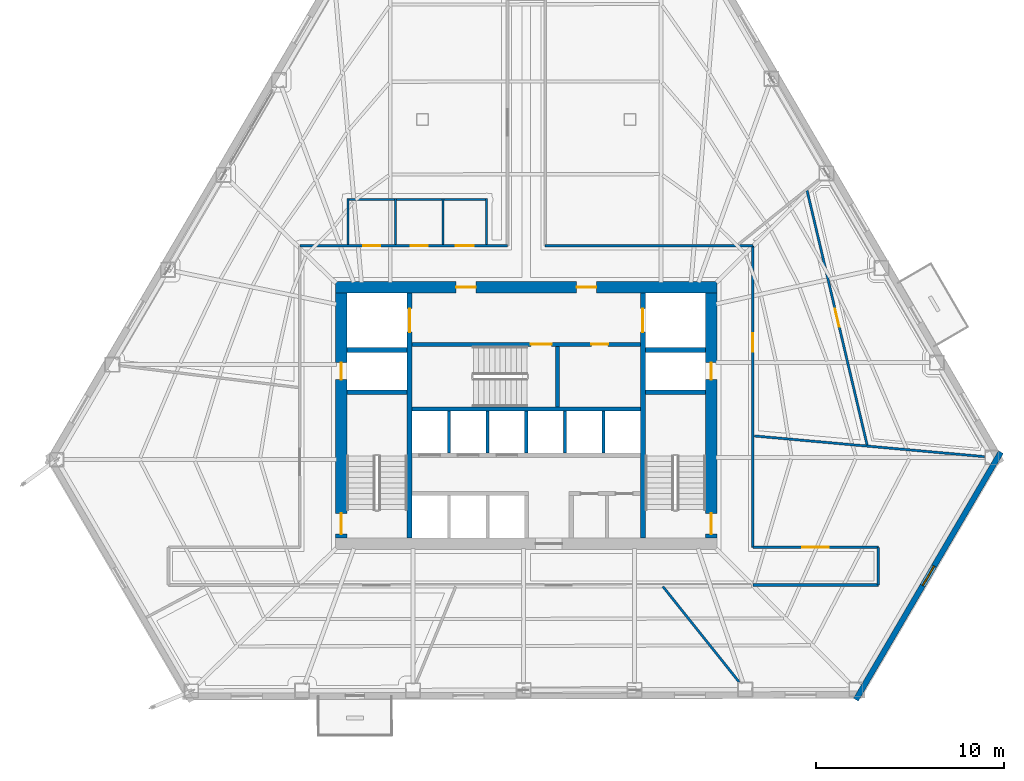
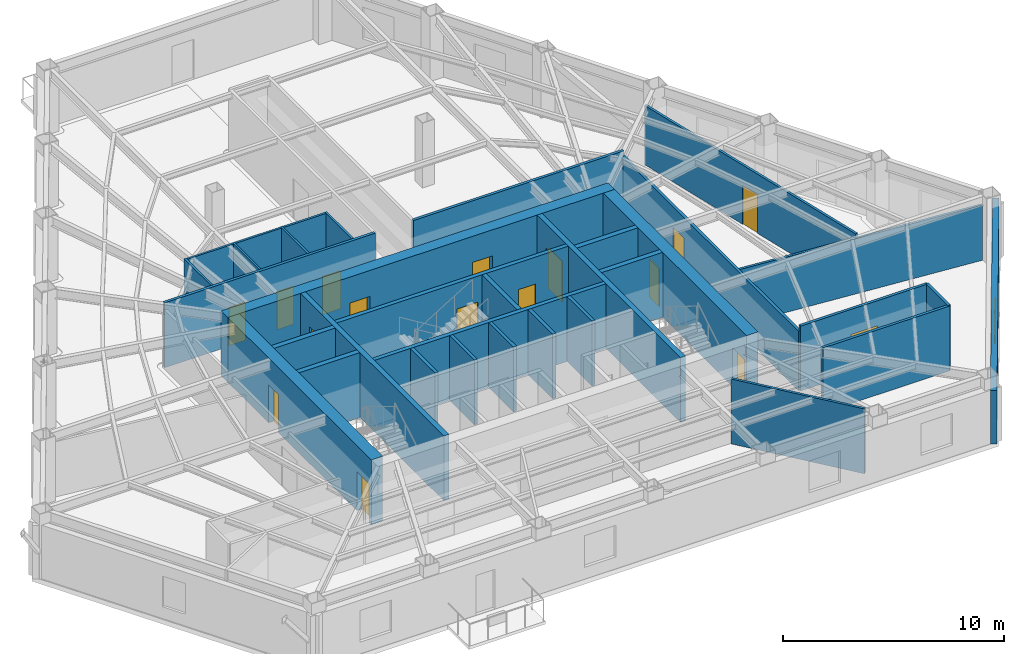
# One storey, part 10 of 15: 32 walls, 16 doors, 1 window, 17 openings.
"""IFC4 building model written with IfcOpenShell, lengths in metres."""

from ifc_helpers import new_model, si_unit, direction, frame, frame_2d, origin, place, context, subcontext, project, spatial, rectangle, extrude, material, layer, layer_set, type_object, element, fill, save


model = new_model("IFC4")

# Units and contexts
model_context = context("Model", 3, precision=1e-05, world=origin(), true_north=direction((0.0, 1.0)))
body_context = subcontext(model_context, "Body", "Model", "MODEL_VIEW")
ifc_project = project(units=[si_unit("LENGTHUNIT", "METRE"), si_unit("AREAUNIT", "SQUARE_METRE"), si_unit("VOLUMEUNIT", "CUBIC_METRE"), si_unit("PLANEANGLEUNIT", "RADIAN"), si_unit("MASSUNIT", "GRAM", prefix="KILO")], contexts=[model_context])

# Site, building, storey
site_placement = place(None, origin())
site = spatial("IfcSite", under=ifc_project, at=site_placement, CompositionType="ELEMENT")
building_placement = place(site_placement, origin())
building = spatial("IfcBuilding", under=site, at=building_placement, Name="Kavelnor Concourse Tower", CompositionType="ELEMENT")
storey_placement = place(building_placement, frame((0.0, 0.0, 63.75)))
storey = spatial("IfcBuildingStorey", under=building, at=storey_placement, Name="L16", CompositionType="ELEMENT", Elevation=63.75)

# Wall, openings, doors
ifc_material_1 = material(Name="Concrete C60/75", Category="concrete")
ifc_layer_1 = layer(ifc_material_1, 0.60009765625, Name="Concrete C60/75")
ifc_layer_set_1 = layer_set([ifc_layer_1], Name="Concrete C60/75")
wall_type_1 = type_object("IfcWallType", Name="WL-CORE-Z1-600", PredefinedType="SOLIDWALL", material=ifc_layer_set_1)
wall_1_placement = place(storey_placement, frame((27.8798828125, 22.89990234375, 0.0), z_axis=(0.0, 0.0, 1.0), x_axis=(1.0, 0.0, 0.0)))
wall_1 = element("IfcWall", 1, at=wall_1_placement, inside=storey, type_object=wall_type_1, Name="L16 Central Core North Shear Wall", PredefinedType="SOLIDWALL", context=body_context, shape_type="SweptSolid", body=[
    extrude(rectangle(XDim=20.240234375, YDim=0.60009765625, at=frame_2d((10.1201171875, 0.0))), origin(), (0.0, 0.0, 1.0), 3.590087890625),
])
opening_1_placement = place(wall_1_placement, frame((6.39501953125, 0.0, 0.0)))
opening_1 = element("IfcOpeningElement", 2, at=opening_1_placement, cuts=wall_1, Name="Opening FD-105", PredefinedType="OPENING", context=body_context, shape_type="SweptSolid", body=[
    extrude(rectangle(XDim=1.050048828125, YDim=2.14990234375, at=frame_2d((0.52490234375, 1.074951171875))), frame((0.0, 0.31005859375, 0.0), z_axis=(0.0, -1.0, 0.0), x_axis=(1.0, 0.0, 0.0)), (0.0, 0.0, 1.0), 0.6201171875),
])
opening_2_placement = place(wall_1_placement, frame((12.794921875, 0.0, 0.0)))
opening_2 = element("IfcOpeningElement", 3, at=opening_2_placement, cuts=wall_1, Name="Opening FD-105", PredefinedType="OPENING", context=body_context, shape_type="SweptSolid", body=[
    extrude(rectangle(XDim=1.050048828125, YDim=2.14990234375, at=frame_2d((0.52490234375, 1.074951171875))), frame((0.0, 0.31005859375, 0.0), z_axis=(0.0, -1.0, 0.0), x_axis=(1.0, 0.0, 0.0)), (0.0, 0.0, 1.0), 0.6201171875),
])
ifc_material_2 = material(Name="Steel Grade 350", Category="steel")
door_type_1 = type_object("IfcDoorType", Name="DR-LOBBY-FIRE-1050", OperationType="NOTDEFINED", PredefinedType="DOOR", material=ifc_material_2)
door_1_placement = place(opening_1_placement, origin())
door_1 = element("IfcDoor", 4, at=door_1_placement, inside=storey, type_object=door_type_1, Name="L16 Emergency Lift Lobby West Door", OperationType="SINGLE_SWING_LEFT", OverallHeight=2.14990234375, OverallWidth=1.050048828125, PredefinedType="DOOR", context=body_context, shape_type="SweptSolid", body=[
    extrude(rectangle(XDim=1.050048828125, YDim=2.14990234375, at=frame_2d((0.52490234375, 1.074951171875))), frame((0.0, 0.02490234375, 0.0), z_axis=(0.0, -1.0, 0.0), x_axis=(1.0, 0.0, 0.0)), (0.0, 0.0, 1.0), 0.050048828125),
])
fill(opening_1, door_1)
door_2_placement = place(opening_2_placement, origin())
door_2 = element("IfcDoor", 5, at=door_2_placement, inside=storey, type_object=door_type_1, Name="L16 Emergency Lift Lobby East Door", OperationType="SINGLE_SWING_RIGHT", OverallHeight=2.14990234375, OverallWidth=1.050048828125, PredefinedType="DOOR", context=body_context, shape_type="SweptSolid", body=[
    extrude(rectangle(XDim=1.050048828125, YDim=2.14990234375, at=frame_2d((0.52490234375, 1.074951171875))), frame((0.0, 0.02490234375, 0.0), z_axis=(0.0, -1.0, 0.0), x_axis=(1.0, 0.0, 0.0)), (0.0, 0.0, 1.0), 0.050048828125),
])
fill(opening_2, door_2)

wall_2_placement = place(storey_placement, frame((28.179931640625, 9.60009765625, 0.0), z_axis=(0.0, 0.0, 1.0), x_axis=(0.0, 1.0, 0.0)))
wall_2 = element("IfcWall", 6, at=wall_2_placement, inside=storey, type_object=wall_type_1, Name="L16 Central Core West Shear Wall", PredefinedType="SOLIDWALL", context=body_context, shape_type="SweptSolid", body=[
    extrude(rectangle(XDim=13.0, YDim=0.60009765625, at=frame_2d((6.5, 0.0))), origin(), (0.0, 0.0, 1.0), 3.590087890625),
])
opening_3_placement = place(wall_2_placement, frame((0.199951171875, 0.0, 0.0)))
opening_3 = element("IfcOpeningElement", 7, at=opening_3_placement, cuts=wall_2, Name="Opening FD-110", PredefinedType="OPENING", context=body_context, shape_type="SweptSolid", body=[
    extrude(rectangle(XDim=1.10009765625, YDim=2.14990234375, at=frame_2d((0.550048828125, 1.074951171875))), frame((0.0, 0.31005859375, 0.0), z_axis=(0.0, -1.0, 0.0), x_axis=(1.0, 0.0, 0.0)), (0.0, 0.0, 1.0), 0.6201171875),
])
opening_4_placement = place(wall_2_placement, frame((8.39990234375, 0.0, 0.0)))
opening_4 = element("IfcOpeningElement", 8, at=opening_4_placement, cuts=wall_2, Name="Opening FD-090", PredefinedType="OPENING", context=body_context, shape_type="SweptSolid", body=[
    extrude(rectangle(XDim=0.89990234375, YDim=2.10009765625, at=frame_2d((0.449951171875, 1.050048828125))), frame((0.0, 0.31005859375, 0.0), z_axis=(0.0, -1.0, 0.0), x_axis=(1.0, 0.0, 0.0)), (0.0, 0.0, 1.0), 0.6201171875),
])
door_type_2 = type_object("IfcDoorType", Name="DR-RISER-FIRE-900", OperationType="NOTDEFINED", PredefinedType="DOOR", material=ifc_material_2)
door_3_placement = place(opening_4_placement, origin())
door_3 = element("IfcDoor", 9, at=door_3_placement, inside=storey, type_object=door_type_2, Name="L16 West Riser Access Door", OperationType="SINGLE_SWING_RIGHT", OverallHeight=2.10009765625, OverallWidth=0.89990234375, PredefinedType="DOOR", context=body_context, shape_type="SweptSolid", body=[
    extrude(rectangle(XDim=0.89990234375, YDim=2.10009765625, at=frame_2d((0.449951171875, 1.050048828125))), frame((0.0, 0.02490234375, 0.0), z_axis=(0.0, -1.0, 0.0), x_axis=(1.0, 0.0, 0.0)), (0.0, 0.0, 1.0), 0.050048828125),
])
fill(opening_4, door_3)
door_type_3 = type_object("IfcDoorType", Name="DR-STAIR-FIRE-1100", OperationType="NOTDEFINED", PredefinedType="DOOR", material=ifc_material_2)
door_4_placement = place(opening_3_placement, origin())
door_4 = element("IfcDoor", 10, at=door_4_placement, inside=storey, type_object=door_type_3, Name="L16 Stair ST1 Fire Door", OperationType="SINGLE_SWING_LEFT", OverallHeight=2.14990234375, OverallWidth=1.10009765625, PredefinedType="DOOR", context=body_context, shape_type="SweptSolid", body=[
    extrude(rectangle(XDim=1.10009765625, YDim=2.14990234375, at=frame_2d((0.550048828125, 1.074951171875))), frame((0.0, 0.02490234375, 0.0), z_axis=(0.0, -1.0, 0.0), x_axis=(1.0, 0.0, 0.0)), (0.0, 0.0, 1.0), 0.050048828125),
])
fill(opening_3, door_4)

wall_3_placement = place(storey_placement, frame((47.820068359375, 9.60009765625, 0.0), z_axis=(0.0, 0.0, 1.0), x_axis=(0.0, 1.0, 0.0)))
wall_3 = element("IfcWall", 11, at=wall_3_placement, inside=storey, type_object=wall_type_1, Name="L16 Central Core East Shear Wall", PredefinedType="SOLIDWALL", context=body_context, shape_type="SweptSolid", body=[
    extrude(rectangle(XDim=13.0, YDim=0.60009765625, at=frame_2d((6.5, 0.0))), origin(), (0.0, 0.0, 1.0), 3.590087890625),
])
opening_5_placement = place(wall_3_placement, frame((0.199951171875, 0.0, 0.0)))
opening_5 = element("IfcOpeningElement", 12, at=opening_5_placement, cuts=wall_3, Name="Opening FD-110", PredefinedType="OPENING", context=body_context, shape_type="SweptSolid", body=[
    extrude(rectangle(XDim=1.10009765625, YDim=2.14990234375, at=frame_2d((0.550048828125, 1.074951171875))), frame((0.0, 0.31005859375, 0.0), z_axis=(0.0, -1.0, 0.0), x_axis=(1.0, 0.0, 0.0)), (0.0, 0.0, 1.0), 0.6201171875),
])
opening_6_placement = place(wall_3_placement, frame((8.39990234375, 0.0, 0.0)))
opening_6 = element("IfcOpeningElement", 13, at=opening_6_placement, cuts=wall_3, Name="Opening FD-090", PredefinedType="OPENING", context=body_context, shape_type="SweptSolid", body=[
    extrude(rectangle(XDim=0.89990234375, YDim=2.10009765625, at=frame_2d((0.449951171875, 1.050048828125))), frame((0.0, 0.31005859375, 0.0), z_axis=(0.0, -1.0, 0.0), x_axis=(1.0, 0.0, 0.0)), (0.0, 0.0, 1.0), 0.6201171875),
])
door_5_placement = place(opening_6_placement, origin())
door_5 = element("IfcDoor", 14, at=door_5_placement, inside=storey, type_object=door_type_2, Name="L16 East Riser Access Door", OperationType="SINGLE_SWING_LEFT", OverallHeight=2.10009765625, OverallWidth=0.89990234375, PredefinedType="DOOR", context=body_context, shape_type="SweptSolid", body=[
    extrude(rectangle(XDim=0.89990234375, YDim=2.10009765625, at=frame_2d((0.449951171875, 1.050048828125))), frame((0.0, 0.02490234375, 0.0), z_axis=(0.0, -1.0, 0.0), x_axis=(1.0, 0.0, 0.0)), (0.0, 0.0, 1.0), 0.050048828125),
])
fill(opening_6, door_5)
door_6_placement = place(opening_5_placement, origin())
door_6 = element("IfcDoor", 15, at=door_6_placement, inside=storey, type_object=door_type_3, Name="L16 Stair ST2 Fire Door", OperationType="SINGLE_SWING_RIGHT", OverallHeight=2.14990234375, OverallWidth=1.10009765625, PredefinedType="DOOR", context=body_context, shape_type="SweptSolid", body=[
    extrude(rectangle(XDim=1.10009765625, YDim=2.14990234375, at=frame_2d((0.550048828125, 1.074951171875))), frame((0.0, 0.02490234375, 0.0), z_axis=(0.0, -1.0, 0.0), x_axis=(1.0, 0.0, 0.0)), (0.0, 0.0, 1.0), 0.050048828125),
])
fill(opening_5, door_6)

# Wall, opening, window
ifc_material_3 = material(Name="Buff ironspot clay face brick masonry", Category="masonry")
ifc_layer_2 = layer(ifc_material_3, 0.300048828125, Name="Buff ironspot clay face brick masonry")
ifc_layer_set_2 = layer_set([ifc_layer_2], Name="Buff ironspot clay face brick masonry")
wall_type_2 = type_object("IfcWallType", Name="WL-EXT-BUFF-BRICK-FOLD-300", PredefinedType="STANDARD", material=ifc_layer_set_2)
wall_4_placement = place(storey_placement, frame((63.188232421875, 14.157470703125, 0.0), z_axis=(0.0, 0.0, 1.0), x_axis=(-0.505432272737, -0.862866280299, 0.0)))
wall_4 = element("IfcWall", 16, at=wall_4_placement, inside=storey, type_object=wall_type_2, Name="L16 Exterior Brick Facade Wall E4", PredefinedType="STANDARD", context=body_context, shape_type="SweptSolid", body=[
    extrude(rectangle(XDim=15.2275390625, YDim=0.300048828125, at=frame_2d((7.61376953125, 0.0))), origin(), (0.0, 0.0, 1.0), 2.969970703125),
])
opening_7_placement = place(wall_4_placement, frame((7.013916015625, 0.0, 0.64990234375)))
opening_7 = element("IfcOpeningElement", 17, at=opening_7_placement, cuts=wall_4, Name="Opening W-05", PredefinedType="OPENING", context=body_context, shape_type="SweptSolid", body=[
    extrude(rectangle(XDim=1.199951171875, YDim=1.699951171875, at=frame_2d((0.60009765625, 0.85009765625))), frame((0.0, 0.16015625, 0.0), z_axis=(0.0, -1.0, 0.0), x_axis=(1.0, 0.0, 0.0)), (0.0, 0.0, 1.0), 0.320068359375),
])
ifc_material_4 = material(Name="Double low-E argon insulated glazing", Category="glass")
window_type = type_object("IfcWindowType", Name="WIN-FOLD-1200", PartitioningType="SINGLE_PANEL", PredefinedType="WINDOW", material=ifc_material_4)
window_placement = place(opening_7_placement, origin())
window = element("IfcWindow", 18, at=window_placement, inside=storey, type_object=window_type, Name="L16 Chamfer-Fold Facet Window C2", OverallHeight=1.699951171875, OverallWidth=1.199951171875, PartitioningType="SINGLE_PANEL", PredefinedType="WINDOW", context=body_context, shape_type="SweptSolid", body=[
    extrude(rectangle(XDim=1.199951171875, YDim=1.699951171875, at=frame_2d((0.60009765625, 0.85009765625))), frame((0.0, 0.030029296875, 0.0), z_axis=(0.0, -1.0, 0.0), x_axis=(1.0, 0.0, 0.0)), (0.0, 0.0, 1.0), 0.06005859375),
])
fill(opening_7, window)

# Wall, openings, doors
ifc_material_5 = material(Name="Gypsum plasterboard on light-gauge steel studs", Category="steel")
ifc_layer_3 = layer(ifc_material_5, 0.14501953125, Name="Gypsum plasterboard on light-gauge steel studs")
ifc_layer_set_3 = layer_set([ifc_layer_3], Name="Gypsum plasterboard on light-gauge steel studs")
wall_type_3 = type_object("IfcWallType", Name="WL-INT-CORR-145", PredefinedType="PARTITIONING", material=ifc_layer_set_3)
wall_5_placement = place(storey_placement, frame((25.97998046875, 25.10009765625, 0.0), z_axis=(0.0, 0.0, 1.0), x_axis=(1.0, 0.0, 0.0)))
wall_5 = element("IfcWall", 19, at=wall_5_placement, inside=storey, type_object=wall_type_3, Name="L16 Corridor Wall WL-L16-CR-03", PredefinedType="PARTITIONING", context=body_context, shape_type="SweptSolid", body=[
    extrude(rectangle(XDim=11.02001953125, YDim=0.14501953125, at=frame_2d((5.510009765625, 0.0))), origin(), (0.0, 0.0, 1.0), 3.590087890625),
])
opening_8_placement = place(wall_5_placement, frame((3.3798828125, 0.0, 0.0)))
opening_8 = element("IfcOpeningElement", 20, at=opening_8_placement, cuts=wall_5, Name="Opening WD-088", PredefinedType="OPENING", context=body_context, shape_type="SweptSolid", body=[
    extrude(rectangle(XDim=0.8798828125, YDim=2.10009765625, at=frame_2d((0.43994140625, 1.050048828125))), frame((0.0, 0.08251953125, 0.0), z_axis=(0.0, -1.0, 0.0), x_axis=(1.0, 0.0, 0.0)), (0.0, 0.0, 1.0), 0.1650390625),
])
opening_9_placement = place(wall_5_placement, frame((5.89990234375, 0.0, 0.0)))
opening_9 = element("IfcOpeningElement", 21, at=opening_9_placement, cuts=wall_5, Name="Opening WD-088", PredefinedType="OPENING", context=body_context, shape_type="SweptSolid", body=[
    extrude(rectangle(XDim=0.8798828125, YDim=2.10009765625, at=frame_2d((0.43994140625, 1.050048828125))), frame((0.0, 0.08251953125, 0.0), z_axis=(0.0, -1.0, 0.0), x_axis=(1.0, 0.0, 0.0)), (0.0, 0.0, 1.0), 0.1650390625),
])
opening_10_placement = place(wall_5_placement, frame((8.280029296875, 0.0, 0.0)))
opening_10 = element("IfcOpeningElement", 22, at=opening_10_placement, cuts=wall_5, Name="Opening WD-096", PredefinedType="OPENING", context=body_context, shape_type="SweptSolid", body=[
    extrude(rectangle(XDim=0.9599609375, YDim=2.10009765625, at=frame_2d((0.47998046875, 1.050048828125))), frame((0.0, 0.08251953125, 0.0), z_axis=(0.0, -1.0, 0.0), x_axis=(1.0, 0.0, 0.0)), (0.0, 0.0, 1.0), 0.1650390625),
])
ifc_material_6 = material(Name="Solid-core hardwood timber", Category="wood")
door_type_4 = type_object("IfcDoorType", Name="DR-WC-ACC-960", OperationType="NOTDEFINED", PredefinedType="DOOR", material=ifc_material_6)
door_7_placement = place(opening_10_placement, origin())
door_7 = element("IfcDoor", 23, at=door_7_placement, inside=storey, type_object=door_type_4, Name="L16 Accessible WC Door", OperationType="SINGLE_SWING_RIGHT", OverallHeight=2.10009765625, OverallWidth=0.9599609375, PredefinedType="DOOR", context=body_context, shape_type="SweptSolid", body=[
    extrude(rectangle(XDim=0.9599609375, YDim=2.10009765625, at=frame_2d((0.47998046875, 1.050048828125))), frame((0.0, 0.02490234375, 0.0), z_axis=(0.0, -1.0, 0.0), x_axis=(1.0, 0.0, 0.0)), (0.0, 0.0, 1.0), 0.050048828125),
])
fill(opening_10, door_7)
door_type_5 = type_object("IfcDoorType", Name="DR-WC-STD-880", OperationType="NOTDEFINED", PredefinedType="DOOR", material=ifc_material_6)
door_8_placement = place(opening_8_placement, origin())
door_8 = element("IfcDoor", 24, at=door_8_placement, inside=storey, type_object=door_type_5, Name="L16 Male WC Door", OperationType="SINGLE_SWING_RIGHT", OverallHeight=2.10009765625, OverallWidth=0.8798828125, PredefinedType="DOOR", context=body_context, shape_type="SweptSolid", body=[
    extrude(rectangle(XDim=0.8798828125, YDim=2.10009765625, at=frame_2d((0.43994140625, 1.050048828125))), frame((0.0, 0.02490234375, 0.0), z_axis=(0.0, -1.0, 0.0), x_axis=(1.0, 0.0, 0.0)), (0.0, 0.0, 1.0), 0.050048828125),
])
fill(opening_8, door_8)
door_9_placement = place(opening_9_placement, origin())
door_9 = element("IfcDoor", 25, at=door_9_placement, inside=storey, type_object=door_type_5, Name="L16 Female WC Door", OperationType="SINGLE_SWING_LEFT", OverallHeight=2.10009765625, OverallWidth=0.8798828125, PredefinedType="DOOR", context=body_context, shape_type="SweptSolid", body=[
    extrude(rectangle(XDim=0.8798828125, YDim=2.10009765625, at=frame_2d((0.43994140625, 1.050048828125))), frame((0.0, 0.02490234375, 0.0), z_axis=(0.0, -1.0, 0.0), x_axis=(1.0, 0.0, 0.0)), (0.0, 0.0, 1.0), 0.050048828125),
])
fill(opening_9, door_9)

# Wall
wall_6_placement = place(storey_placement, frame((39.0, 25.10009765625, 0.0), z_axis=(0.0, 0.0, 1.0), x_axis=(1.0, 0.0, 0.0)))
element("IfcWall", 26, at=wall_6_placement, inside=storey, type_object=wall_type_3, Name="L16 Corridor Wall WL-L16-CR-07", PredefinedType="PARTITIONING", context=body_context, shape_type="SweptSolid", body=[
    extrude(rectangle(XDim=11.02001953125, YDim=0.14501953125, at=frame_2d((5.510009765625, 0.0))), origin(), (0.0, 0.0, 1.0), 3.590087890625),
])

# Wall, opening, door
wall_7_placement = place(storey_placement, frame((50.02001953125, 25.10009765625, 0.0), z_axis=(0.0, 0.0, 1.0), x_axis=(0.0, -1.0, 0.0)))
wall_7 = element("IfcWall", 27, at=wall_7_placement, inside=storey, type_object=wall_type_3, Name="L16 Corridor Wall WL-L16-CR-08", PredefinedType="PARTITIONING", context=body_context, shape_type="SweptSolid", body=[
    extrude(rectangle(XDim=16.0, YDim=0.14501953125, at=frame_2d((8.0, 0.0))), origin(), (0.0, 0.0, 1.0), 3.278076171875),
])
opening_11_placement = place(wall_7_placement, frame((4.63916015625, 0.0, 0.0)))
opening_11 = element("IfcOpeningElement", 28, at=opening_11_placement, cuts=wall_7, Name="Opening OD-098", PredefinedType="OPENING", context=body_context, shape_type="SweptSolid", body=[
    extrude(rectangle(XDim=0.97998046875, YDim=2.14990234375, at=frame_2d((0.489990234375, 1.074951171875))), frame((0.0, 0.08251953125, 0.0), z_axis=(0.0, -1.0, 0.0), x_axis=(1.0, 0.0, 0.0)), (0.0, 0.0, 1.0), 0.1650390625),
])
door_type_6 = type_object("IfcDoorType", Name="DR-OFFICE-980", OperationType="NOTDEFINED", PredefinedType="DOOR", material=ifc_material_6)
door_10_placement = place(opening_11_placement, origin())
door_10 = element("IfcDoor", 29, at=door_10_placement, inside=storey, type_object=door_type_6, Name="L16 Tenant Bookstore Retail Shop 01 Door", OperationType="SINGLE_SWING_RIGHT", OverallHeight=2.14990234375, OverallWidth=0.97998046875, PredefinedType="DOOR", context=body_context, shape_type="SweptSolid", body=[
    extrude(rectangle(XDim=0.97998046875, YDim=2.14990234375, at=frame_2d((0.489990234375, 1.074951171875))), frame((0.0, 0.02490234375, 0.0), z_axis=(0.0, -1.0, 0.0), x_axis=(1.0, 0.0, 0.0)), (0.0, 0.0, 1.0), 0.050048828125),
])
fill(opening_11, door_10)

wall_8_placement = place(storey_placement, frame((50.02001953125, 9.10009765625, 0.0), z_axis=(0.0, 0.0, 1.0), x_axis=(1.0, 0.0, 0.0)))
wall_8 = element("IfcWall", 30, at=wall_8_placement, inside=storey, type_object=wall_type_3, Name="L16 Corridor Wall WL-L16-CR-09", PredefinedType="PARTITIONING", context=body_context, shape_type="SweptSolid", body=[
    extrude(rectangle(XDim=6.659423828125, YDim=0.14501953125, at=frame_2d((3.32958984375, 0.0))), origin(), (0.0, 0.0, 1.0), 3.590087890625),
])
opening_12_placement = place(wall_8_placement, frame((2.6298828125, 0.0, 0.0)))
opening_12 = element("IfcOpeningElement", 31, at=opening_12_placement, cuts=wall_8, Name="Opening SD-140", PredefinedType="OPENING", context=body_context, shape_type="SweptSolid", body=[
    extrude(rectangle(XDim=1.39990234375, YDim=2.199951171875, at=frame_2d((0.699951171875, 1.10009765625))), frame((0.0, 0.08251953125, 0.0), z_axis=(0.0, -1.0, 0.0), x_axis=(1.0, 0.0, 0.0)), (0.0, 0.0, 1.0), 0.1650390625),
])
door_type_7 = type_object("IfcDoorType", Name="DR-SUITE-ENTRY-1400", OperationType="NOTDEFINED", PredefinedType="DOOR", material=ifc_material_6)
door_11_placement = place(opening_12_placement, origin())
door_11 = element("IfcDoor", 32, at=door_11_placement, inside=storey, type_object=door_type_7, Name="L16 Workplace Open Office 07 Door", OperationType="SINGLE_SWING_RIGHT", OverallHeight=2.199951171875, OverallWidth=1.39990234375, PredefinedType="DOOR", context=body_context, shape_type="SweptSolid", body=[
    extrude(rectangle(XDim=1.39990234375, YDim=2.199951171875, at=frame_2d((0.699951171875, 1.10009765625))), frame((0.0, 0.02490234375, 0.0), z_axis=(0.0, -1.0, 0.0), x_axis=(1.0, 0.0, 0.0)), (0.0, 0.0, 1.0), 0.050048828125),
])
fill(opening_12, door_11)

# Walls
wall_9_placement = place(storey_placement, frame((56.679443359375, 9.10009765625, 0.0), z_axis=(0.0, 0.0, 1.0), x_axis=(0.0, -1.0, 0.0)))
element("IfcWall", 33, at=wall_9_placement, inside=storey, type_object=wall_type_3, Name="L16 Corridor Wall WL-L16-CR-10", PredefinedType="PARTITIONING", context=body_context, shape_type="SweptSolid", body=[
    extrude(rectangle(XDim=2.0, YDim=0.14501953125, at=frame_2d((1.0, 0.0))), origin(), (0.0, 0.0, 1.0), 3.590087890625),
])
wall_10_placement = place(storey_placement, frame((56.679443359375, 7.10009765625, 0.0), z_axis=(0.0, 0.0, 1.0), x_axis=(-1.0, 0.0, 0.0)))
element("IfcWall", 34, at=wall_10_placement, inside=storey, type_object=wall_type_3, Name="L16 Corridor Wall WL-L16-CR-11", PredefinedType="PARTITIONING", context=body_context, shape_type="SweptSolid", body=[
    extrude(rectangle(XDim=6.659423828125, YDim=0.14501953125, at=frame_2d((3.32958984375, 0.0))), origin(), (0.0, 0.0, 1.0), 3.590087890625),
])
ifc_layer_4 = layer(ifc_material_5, 0.1650390625, Name="Gypsum plasterboard on light-gauge steel studs")
ifc_layer_set_4 = layer_set([ifc_layer_4], Name="Gypsum plasterboard on light-gauge steel studs")
wall_type_4 = type_object("IfcWallType", Name="WL-INT-FIRE-165", PredefinedType="PARTITIONING", material=ifc_layer_set_4)
for number, where, z_axis, x_axis, name in (
    (35, (33.89990234375, 14.10009765625, 0.0), (0.0, 0.0, 1.0), (0.0, 1.0, 0.0), "L16 Lift Shaft Divider LP1"),
    (36, (35.949951171875, 14.10009765625, 0.0), (0.0, 0.0, 1.0), (0.0, 1.0, 0.0), "L16 Lift Shaft Divider LP2"),
    (37, (38.0, 14.10009765625, 0.0), (0.0, 0.0, 1.0), (0.0, 1.0, 0.0), "L16 Lift Shaft Divider LP3"),
    (38, (40.050048828125, 14.10009765625, 0.0), (0.0, 0.0, 1.0), (0.0, 1.0, 0.0), "L16 Lift Shaft Divider LP4"),
    (39, (42.10009765625, 14.10009765625, 0.0), (0.0, 0.0, 1.0), (0.0, 1.0, 0.0), "L16 Lift Shaft Divider LP5"),
):
    element("IfcWall", number, at=place(storey_placement, frame(where, z_axis=z_axis, x_axis=x_axis)), inside=storey, type_object=wall_type_4, Name=name, PredefinedType="PARTITIONING", context=body_context, shape_type="SweptSolid", body=[
        extrude(rectangle(XDim=2.239990234375, YDim=0.1650390625, at=frame_2d((1.1201171875, 0.0))), origin(), (0.0, 0.0, 1.0), 3.590087890625),
    ])
ifc_layer_5 = layer(ifc_material_5, 0.125, Name="Gypsum plasterboard on light-gauge steel studs")
ifc_layer_set_5 = layer_set([ifc_layer_5], Name="Gypsum plasterboard on light-gauge steel studs")
wall_type_5 = type_object("IfcWallType", Name="WL-INT-SUITE-125", PredefinedType="PARTITIONING", material=ifc_layer_set_5)
wall_11_placement = place(storey_placement, frame((45.251708984375, 7.01953125, 0.0), z_axis=(0.0, 0.0, 1.0), x_axis=(0.624023801828, -0.781405333199, 0.0)))
element("IfcWall", 40, at=wall_11_placement, inside=storey, type_object=wall_type_5, Name="L16 Radial Suite Partition 05", PredefinedType="PARTITIONING", context=body_context, shape_type="SweptSolid", body=[
    extrude(rectangle(XDim=6.47802734375, YDim=0.125, at=frame_2d((3.239013671875, 0.0))), origin(), (0.0, 0.0, 1.0), 3.590087890625),
])
wall_12_placement = place(storey_placement, frame((50.1005859375, 15.0126953125, 0.0), z_axis=(0.0, 0.0, 1.0), x_axis=(0.995987233075, -0.089495427542, 0.0)))
element("IfcWall", 41, at=wall_12_placement, inside=storey, type_object=wall_type_5, Name="L16 Radial Suite Partition 06", PredefinedType="PARTITIONING", context=body_context, shape_type="SweptSolid", body=[
    extrude(rectangle(XDim=12.273193359375, YDim=0.125, at=frame_2d((6.13671875, 0.0))), origin(), (0.0, 0.0, 1.0), 3.056884765625),
])

# Wall, opening, door
wall_13_placement = place(storey_placement, frame((56.097900390625, 14.489013671875, 0.0), z_axis=(0.0, 0.0, 1.0), x_axis=(-0.229640261557, 0.973275577764, 0.0)))
wall_13 = element("IfcWall", 42, at=wall_13_placement, inside=storey, type_object=wall_type_5, Name="L16 Suite Subdivision Partition 01", PredefinedType="PARTITIONING", context=body_context, shape_type="SweptSolid", body=[
    extrude(rectangle(XDim=13.970703125, YDim=0.125, at=frame_2d((6.9853515625, 0.0))), origin(), (0.0, 0.0, 1.0), 3.278076171875),
])
opening_13_placement = place(wall_13_placement, frame((6.48974609375, 0.0, 0.0)))
opening_13 = element("IfcOpeningElement", 43, at=opening_13_placement, cuts=wall_13, Name="Opening OD-098", PredefinedType="OPENING", context=body_context, shape_type="SweptSolid", body=[
    extrude(rectangle(XDim=0.97998046875, YDim=2.14990234375, at=frame_2d((0.489990234375, 1.074951171875))), frame((0.0, 0.072509765625, 0.0), z_axis=(0.0, -1.0, 0.0), x_axis=(1.0, 0.0, 0.0)), (0.0, 0.0, 1.0), 0.14501953125),
])
door_12_placement = place(opening_13_placement, origin())
door_12 = element("IfcDoor", 44, at=door_12_placement, inside=storey, type_object=door_type_6, Name="L16 Technical Reference Library 02 Door", OperationType="SINGLE_SWING_LEFT", OverallHeight=2.14990234375, OverallWidth=0.97998046875, PredefinedType="DOOR", context=body_context, shape_type="SweptSolid", body=[
    extrude(rectangle(XDim=0.97998046875, YDim=2.14990234375, at=frame_2d((0.489990234375, 1.074951171875))), frame((0.0, 0.02490234375, 0.0), z_axis=(0.0, -1.0, 0.0), x_axis=(1.0, 0.0, 0.0)), (0.0, 0.0, 1.0), 0.050048828125),
])
fill(opening_13, door_12)

# Walls
ifc_layer_6 = layer(ifc_material_5, 0.110107421875, Name="Gypsum plasterboard on light-gauge steel studs")
ifc_layer_set_6 = layer_set([ifc_layer_6], Name="Gypsum plasterboard on light-gauge steel studs")
wall_type_6 = type_object("IfcWallType", Name="WL-INT-WC-110", PredefinedType="PLUMBINGWALL", material=ifc_layer_set_6)
for number, where, z_axis, x_axis, name in (
    (45, (28.5400390625, 25.169921875, 0.0), (0.0, 0.0, 1.0), (0.0, 1.0, 0.0), "L16 Sanitary Partition WL-L16-WC-W"),
    (46, (31.06005859375, 25.169921875, 0.0), (0.0, 0.0, 1.0), (0.0, 1.0, 0.0), "L16 Sanitary Partition WL-L16-WC-D1"),
    (47, (33.580078125, 25.169921875, 0.0), (0.0, 0.0, 1.0), (0.0, 1.0, 0.0), "L16 Sanitary Partition WL-L16-WC-D2"),
    (48, (35.89990234375, 25.169921875, 0.0), (0.0, 0.0, 1.0), (0.0, 1.0, 0.0), "L16 Sanitary Partition WL-L16-WC-E"),
):
    element("IfcWall", number, at=place(storey_placement, frame(where, z_axis=z_axis, x_axis=x_axis)), inside=storey, type_object=wall_type_6, Name=name, PredefinedType="PLUMBINGWALL", context=body_context, shape_type="SweptSolid", body=[
        extrude(rectangle(XDim=2.440185546875, YDim=0.110107421875, at=frame_2d((1.22021484375, 0.0))), origin(), (0.0, 0.0, 1.0), 3.590087890625),
    ])
wall_14_placement = place(storey_placement, frame((28.489990234375, 27.550048828125, 0.0), z_axis=(0.0, 0.0, 1.0), x_axis=(1.0, 0.0, 0.0)))
element("IfcWall", 49, at=wall_14_placement, inside=storey, type_object=wall_type_6, Name="L16 Sanitary Partition WL-L16-WC-N", PredefinedType="PLUMBINGWALL", context=body_context, shape_type="SweptSolid", body=[
    extrude(rectangle(XDim=7.4599609375, YDim=0.110107421875, at=frame_2d((3.72998046875, 0.0))), origin(), (0.0, 0.0, 1.0), 3.590087890625),
])

# Wall, openings, doors
ifc_material_7 = material(Name="Concrete C50/60", Category="concrete")
ifc_layer_7 = layer(ifc_material_7, 0.219970703125, Name="Concrete C50/60")
ifc_layer_set_7 = layer_set([ifc_layer_7], Name="Concrete C50/60")
wall_type_7 = type_object("IfcWallType", Name="WL-SHAFT-220", PredefinedType="SOLIDWALL", material=ifc_layer_set_7)
wall_15_placement = place(storey_placement, frame((31.93994140625, 19.8701171875, 0.0), z_axis=(0.0, 0.0, 1.0), x_axis=(1.0, 0.0, 0.0)))
wall_15 = element("IfcWall", 50, at=wall_15_placement, inside=storey, type_object=wall_type_7, Name="L16 Emergency Lift Lobby South Wall", PredefinedType="SOLIDWALL", context=body_context, shape_type="SweptSolid", body=[
    extrude(rectangle(XDim=12.1201171875, YDim=0.219970703125, at=frame_2d((6.06005859375, 0.0))), origin(), (0.0, 0.0, 1.0), 3.590087890625),
])
opening_14_placement = place(wall_15_placement, frame((6.300048828125, 0.0, 0.0)))
opening_14 = element("IfcOpeningElement", 51, at=opening_14_placement, cuts=wall_15, Name="Opening FD-110", PredefinedType="OPENING", context=body_context, shape_type="SweptSolid", body=[
    extrude(rectangle(XDim=1.10009765625, YDim=2.14990234375, at=frame_2d((0.550048828125, 1.074951171875))), frame((0.0, 0.1201171875, 0.0), z_axis=(0.0, -1.0, 0.0), x_axis=(1.0, 0.0, 0.0)), (0.0, 0.0, 1.0), 0.239990234375),
])
opening_15_placement = place(wall_15_placement, frame((9.510009765625, 0.0, 0.0)))
opening_15 = element("IfcOpeningElement", 52, at=opening_15_placement, cuts=wall_15, Name="Opening FD-090", PredefinedType="OPENING", context=body_context, shape_type="SweptSolid", body=[
    extrude(rectangle(XDim=0.89990234375, YDim=2.10009765625, at=frame_2d((0.449951171875, 1.050048828125))), frame((0.0, 0.1201171875, 0.0), z_axis=(0.0, -1.0, 0.0), x_axis=(1.0, 0.0, 0.0)), (0.0, 0.0, 1.0), 0.239990234375),
])
door_13_placement = place(opening_15_placement, origin())
door_13 = element("IfcDoor", 53, at=door_13_placement, inside=storey, type_object=door_type_2, Name="L16 Electrical Comms Door", OperationType="SINGLE_SWING_LEFT", OverallHeight=2.10009765625, OverallWidth=0.89990234375, PredefinedType="DOOR", context=body_context, shape_type="SweptSolid", body=[
    extrude(rectangle(XDim=0.89990234375, YDim=2.10009765625, at=frame_2d((0.449951171875, 1.050048828125))), frame((0.0, 0.02490234375, 0.0), z_axis=(0.0, -1.0, 0.0), x_axis=(1.0, 0.0, 0.0)), (0.0, 0.0, 1.0), 0.050048828125),
])
fill(opening_15, door_13)
door_14_placement = place(opening_14_placement, origin())
door_14 = element("IfcDoor", 54, at=door_14_placement, inside=storey, type_object=door_type_3, Name="L16 Stair ST3 Fire Door", OperationType="SINGLE_SWING_LEFT", OverallHeight=2.14990234375, OverallWidth=1.10009765625, PredefinedType="DOOR", context=body_context, shape_type="SweptSolid", body=[
    extrude(rectangle(XDim=1.10009765625, YDim=2.14990234375, at=frame_2d((0.550048828125, 1.074951171875))), frame((0.0, 0.02490234375, 0.0), z_axis=(0.0, -1.0, 0.0), x_axis=(1.0, 0.0, 0.0)), (0.0, 0.0, 1.0), 0.050048828125),
])
fill(opening_14, door_14)

# Walls
wall_16_placement = place(storey_placement, frame((31.93994140625, 16.449951171875, 0.0), z_axis=(0.0, 0.0, 1.0), x_axis=(1.0, 0.0, 0.0)))
element("IfcWall", 55, at=wall_16_placement, inside=storey, type_object=wall_type_7, Name="L16 Stair ST3 South Core Wall", PredefinedType="SOLIDWALL", context=body_context, shape_type="SweptSolid", body=[
    extrude(rectangle(XDim=12.1201171875, YDim=0.219970703125, at=frame_2d((6.06005859375, 0.0))), origin(), (0.0, 0.0, 1.0), 3.590087890625),
])
wall_17_placement = place(storey_placement, frame((39.64990234375, 16.56005859375, 0.0), z_axis=(0.0, 0.0, 1.0), x_axis=(0.0, 1.0, 0.0)))
element("IfcWall", 56, at=wall_17_placement, inside=storey, type_object=wall_type_7, Name="L16 Stair ST3 East Core Wall", PredefinedType="SOLIDWALL", context=body_context, shape_type="SweptSolid", body=[
    extrude(rectangle(XDim=3.199951171875, YDim=0.219970703125, at=frame_2d((1.60009765625, 0.0))), origin(), (0.0, 0.0, 1.0), 3.590087890625),
])

# Wall, opening, door
ifc_layer_8 = layer(ifc_material_7, 0.260009765625, Name="Concrete C50/60")
ifc_layer_set_8 = layer_set([ifc_layer_8], Name="Concrete C50/60")
wall_type_8 = type_object("IfcWallType", Name="WL-SHAFT-260", PredefinedType="SHEAR", material=ifc_layer_set_8)
wall_18_placement = place(storey_placement, frame((31.81005859375, 9.60009765625, 0.0), z_axis=(0.0, 0.0, 1.0), x_axis=(0.0, 1.0, 0.0)))
wall_18 = element("IfcWall", 57, at=wall_18_placement, inside=storey, type_object=wall_type_8, Name="L16 Core West Wing Shear Wall", PredefinedType="SHEAR", context=body_context, shape_type="SweptSolid", body=[
    extrude(rectangle(XDim=13.0, YDim=0.260009765625, at=frame_2d((6.5, 0.0))), origin(), (0.0, 0.0, 1.0), 3.590087890625),
])
opening_16_placement = place(wall_18_placement, frame((10.925048828125, 0.0, 0.0)))
opening_16 = element("IfcOpeningElement", 58, at=opening_16_placement, cuts=wall_18, Name="Opening LD-125", PredefinedType="OPENING", context=body_context, shape_type="SweptSolid", body=[
    extrude(rectangle(XDim=1.25, YDim=2.25, at=frame_2d((0.625, 1.125))), frame((0.0, 0.14013671875, 0.0), z_axis=(0.0, -1.0, 0.0), x_axis=(1.0, 0.0, 0.0)), (0.0, 0.0, 1.0), 0.280029296875),
])
door_type_8 = type_object("IfcDoorType", Name="DR-LIFT-SLIDING-1250", OperationType="NOTDEFINED", PredefinedType="DOOR", material=ifc_material_2)
door_15_placement = place(opening_16_placement, origin())
door_15 = element("IfcDoor", 59, at=door_15_placement, inside=storey, type_object=door_type_8, Name="L16 Emergency Lift FL1 Landing Door", OperationType="DOUBLE_DOOR_SLIDING", OverallHeight=2.25, OverallWidth=1.25, PredefinedType="DOOR", context=body_context, shape_type="SweptSolid", body=[
    extrude(rectangle(XDim=1.25, YDim=2.25, at=frame_2d((0.625, 1.125))), frame((0.0, 0.02490234375, 0.0), z_axis=(0.0, -1.0, 0.0), x_axis=(1.0, 0.0, 0.0)), (0.0, 0.0, 1.0), 0.050048828125),
])
fill(opening_16, door_15)

wall_19_placement = place(storey_placement, frame((44.18994140625, 9.60009765625, 0.0), z_axis=(0.0, 0.0, 1.0), x_axis=(0.0, 1.0, 0.0)))
wall_19 = element("IfcWall", 60, at=wall_19_placement, inside=storey, type_object=wall_type_8, Name="L16 Core East Wing Shear Wall", PredefinedType="SHEAR", context=body_context, shape_type="SweptSolid", body=[
    extrude(rectangle(XDim=13.0, YDim=0.260009765625, at=frame_2d((6.5, 0.0))), origin(), (0.0, 0.0, 1.0), 3.590087890625),
])
opening_17_placement = place(wall_19_placement, frame((10.925048828125, 0.0, 0.0)))
opening_17 = element("IfcOpeningElement", 61, at=opening_17_placement, cuts=wall_19, Name="Opening LD-125", PredefinedType="OPENING", context=body_context, shape_type="SweptSolid", body=[
    extrude(rectangle(XDim=1.25, YDim=2.25, at=frame_2d((0.625, 1.125))), frame((0.0, 0.14013671875, 0.0), z_axis=(0.0, -1.0, 0.0), x_axis=(1.0, 0.0, 0.0)), (0.0, 0.0, 1.0), 0.280029296875),
])
door_16_placement = place(opening_17_placement, origin())
door_16 = element("IfcDoor", 62, at=door_16_placement, inside=storey, type_object=door_type_8, Name="L16 Emergency Lift FL2 Landing Door", OperationType="DOUBLE_DOOR_SLIDING", OverallHeight=2.25, OverallWidth=1.25, PredefinedType="DOOR", context=body_context, shape_type="SweptSolid", body=[
    extrude(rectangle(XDim=1.25, YDim=2.25, at=frame_2d((0.625, 1.125))), frame((0.0, 0.02490234375, 0.0), z_axis=(0.0, -1.0, 0.0), x_axis=(1.0, 0.0, 0.0)), (0.0, 0.0, 1.0), 0.050048828125),
])
fill(opening_17, door_16)

# Walls
for number, where, z_axis, x_axis, name in (
    (63, (28.47998046875, 17.330078125, 0.0), (0.0, 0.0, 1.0), (1.0, 0.0, 0.0), "L16 Stair ST1 North Shaft Wall"),
    (64, (28.47998046875, 19.570068359375, 0.0), (0.0, 0.0, 1.0), (1.0, 0.0, 0.0), "L16 Emergency Lift FL1 South Shaft Wall"),
    (65, (44.320068359375, 17.330078125, 0.0), (0.0, 0.0, 1.0), (1.0, 0.0, 0.0), "L16 Stair ST2 North Shaft Wall"),
    (66, (44.320068359375, 19.570068359375, 0.0), (0.0, 0.0, 1.0), (1.0, 0.0, 0.0), "L16 Emergency Lift FL2 South Shaft Wall"),
):
    element("IfcWall", number, at=place(storey_placement, frame(where, z_axis=z_axis, x_axis=x_axis)), inside=storey, type_object=wall_type_8, Name=name, PredefinedType="SHEAR", context=body_context, shape_type="SweptSolid", body=[
        extrude(rectangle(XDim=3.199951171875, YDim=0.260009765625, at=frame_2d((1.60009765625, 0.0))), origin(), (0.0, 0.0, 1.0), 3.590087890625),
    ])

save(model, "model.ifc")
